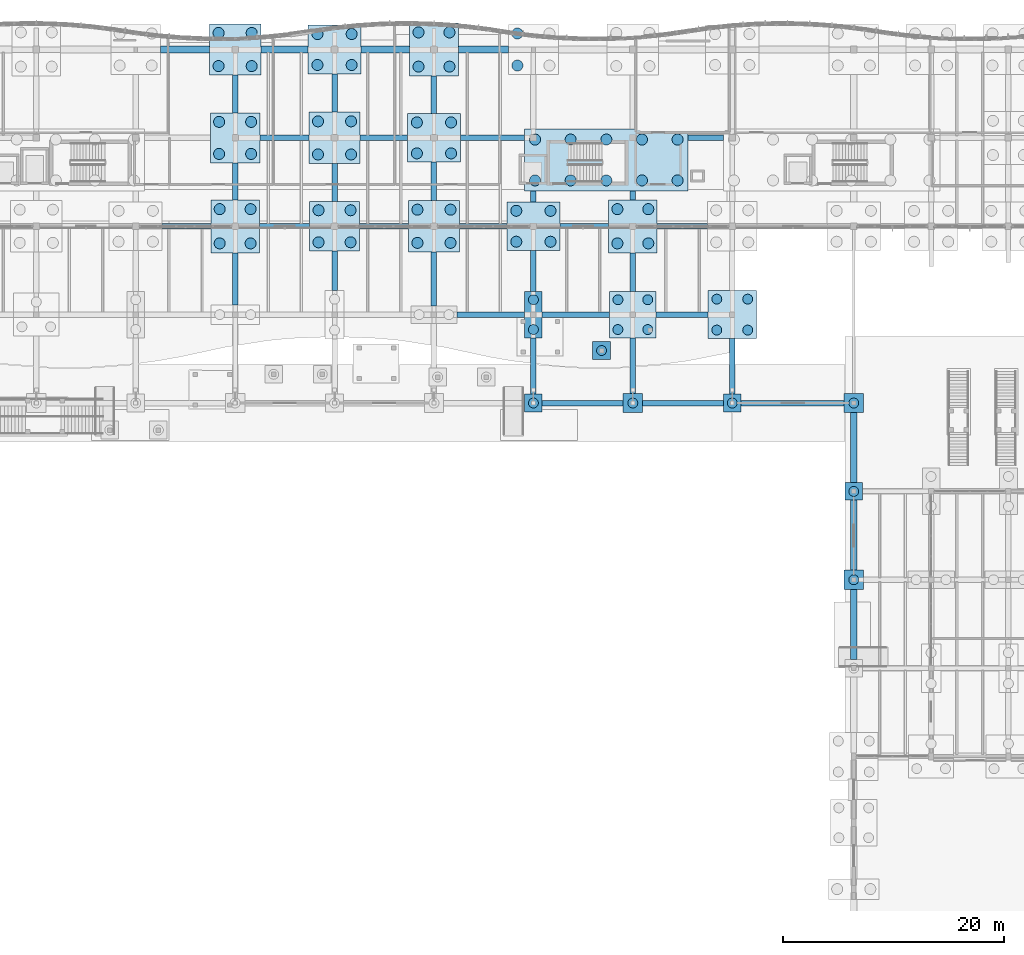
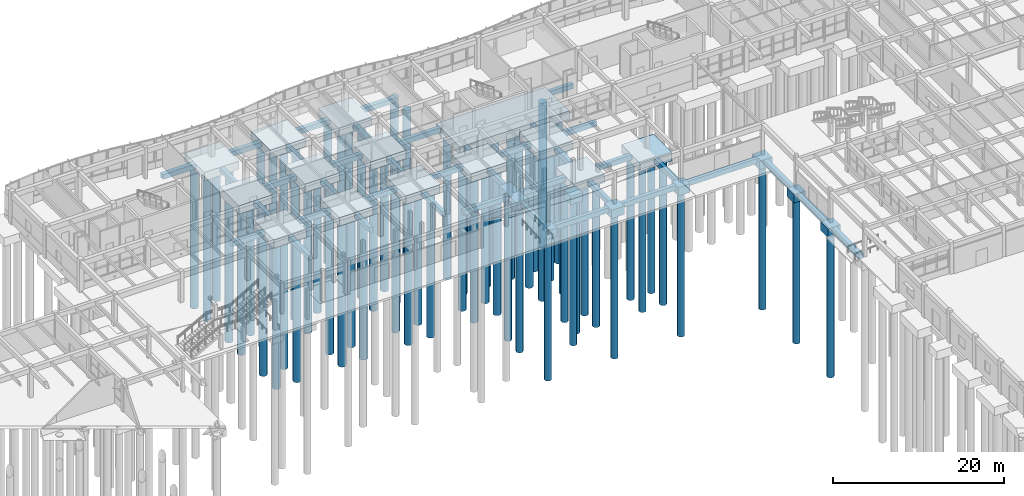
# One storey, part 5 of 99: 73 piles, 61 footings.
"""IFC4 building model written with IfcOpenShell, lengths in metres."""

from ifc_helpers import new_model, si_unit, direction, frame, origin, origin_2d, place, context, subcontext, project, spatial, rectangle, circle, extrude, material, material_profile, profile_set, type_object, element, save


model = new_model("IFC4")

# Units and contexts
model_context = context("Model", 3, precision=1e-05, world=origin(), true_north=direction((0.0, 1.0)))
body_context = subcontext(model_context, "Body", "Model", "MODEL_VIEW")
ifc_project = project(units=[si_unit("LENGTHUNIT", "METRE"), si_unit("AREAUNIT", "SQUARE_METRE"), si_unit("VOLUMEUNIT", "CUBIC_METRE"), si_unit("PLANEANGLEUNIT", "RADIAN"), si_unit("MASSUNIT", "GRAM", prefix="KILO")], contexts=[model_context])

# Site, building, storey
site_placement = place(None, origin())
site = spatial("IfcSite", under=ifc_project, at=site_placement, CompositionType="ELEMENT")
building_placement = place(site_placement, origin())
building = spatial("IfcBuilding", under=site, at=building_placement, Name="Tonlespit Floodbar School", CompositionType="ELEMENT")
storey_placement = place(building_placement, origin())
storey = spatial("IfcBuildingStorey", under=building, at=storey_placement, Name="L00", CompositionType="ELEMENT", Elevation=0.0)

# Footings
ifc_material_1 = material(Name="Concrete C40/50", Category="concrete")
footing_type_1 = type_object("IfcFootingType", Name="FootingBeam_RC_500x700", PredefinedType="FOOTING_BEAM", material=ifc_material_1)
for number, where, z_axis, x_axis, name in (
    (1, (102.46240234375, 88.0, -0.89990234375), (0.0, 0.0, 1.0), (1.0, 0.0, 0.0), "Ground tie beam FB-094"),
    (2, (111.53759765625, 88.0, -0.89990234375), (0.0, 0.0, 1.0), (1.0, 0.0, 0.0), "Ground tie beam FB-095"),
):
    element("IfcFooting", number, at=place(storey_placement, frame(where, z_axis=z_axis, x_axis=x_axis)), inside=storey, type_object=footing_type_1, Name=name, PredefinedType="FOOTING_BEAM", context=body_context, shape_type="SweptSolid", body=[
        extrude(rectangle(XDim=7.324951171875, YDim=0.5, at=origin_2d()), origin(), (0.0, 0.0, 1.0), 0.699951171875),
    ])
footing_1_placement = place(storey_placement, frame((121.46240234375, 88.0, -0.89990234375), z_axis=(0.0, 0.0, 1.0), x_axis=(1.0, 0.0, 0.0)))
element("IfcFooting", 3, at=footing_1_placement, inside=storey, type_object=footing_type_1, Name="Ground tie beam FB-096", PredefinedType="FOOTING_BEAM", context=body_context, shape_type="SweptSolid", body=[
    extrude(rectangle(XDim=9.324951171875, YDim=0.5, at=origin_2d()), origin(), (0.0, 0.0, 1.0), 0.699951171875),
])
for number, where, z_axis, x_axis, name in (
    (4, (94.14990234375, 96.0, -0.89990234375), (0.0, 0.0, 1.0), (1.0, 0.0, 0.0), "Ground tie beam FB-110"),
    (5, (101.85009765625, 96.0, -0.89990234375), (0.0, 0.0, 1.0), (1.0, 0.0, 0.0), "Ground tie beam FB-111"),
):
    element("IfcFooting", number, at=place(storey_placement, frame(where, z_axis=z_axis, x_axis=x_axis)), inside=storey, type_object=footing_type_1, Name=name, PredefinedType="FOOTING_BEAM", context=body_context, shape_type="SweptSolid", body=[
        extrude(rectangle(XDim=6.10009765625, YDim=0.5, at=origin_2d()), origin(), (0.0, 0.0, 1.0), 0.699951171875),
    ])
footing_2_placement = place(storey_placement, frame((111.46240234375, 96.0, -0.89990234375), z_axis=(0.0, 0.0, 1.0), x_axis=(1.0, 0.0, 0.0)))
element("IfcFooting", 6, at=footing_2_placement, inside=storey, type_object=footing_type_1, Name="Ground tie beam FB-112", PredefinedType="FOOTING_BEAM", context=body_context, shape_type="SweptSolid", body=[
    extrude(rectangle(XDim=4.72509765625, YDim=0.5, at=origin_2d()), origin(), (0.0, 0.0, 1.0), 0.699951171875),
])
footing_3_placement = place(storey_placement, frame((66.60009765625, 104.0, -0.89990234375), z_axis=(0.0, 0.0, 1.0), x_axis=(1.0, 0.0, 0.0)))
element("IfcFooting", 7, at=footing_3_placement, inside=storey, type_object=footing_type_1, Name="Ground tie beam FB-119", PredefinedType="FOOTING_BEAM", context=body_context, shape_type="SweptSolid", body=[
    extrude(rectangle(XDim=4.39990234375, YDim=0.5, at=origin_2d()), origin(), (0.0, 0.0, 1.0), 0.699951171875),
])
footing_4_placement = place(storey_placement, frame((75.47509765625, 104.0, -0.89990234375), z_axis=(0.0, 0.0, 1.0), x_axis=(1.0, 0.0, 0.0)))
element("IfcFooting", 8, at=footing_4_placement, inside=storey, type_object=footing_type_1, Name="Ground tie beam FB-120", PredefinedType="FOOTING_BEAM", context=body_context, shape_type="SweptSolid", body=[
    extrude(rectangle(XDim=4.550048828125, YDim=0.5, at=origin_2d()), origin(), (0.0, 0.0, 1.0), 0.699951171875),
])
footing_5_placement = place(storey_placement, frame((84.46240234375, 104.0, -0.89990234375), z_axis=(0.0, 0.0, 1.0), x_axis=(1.0, 0.0, 0.0)))
element("IfcFooting", 9, at=footing_5_placement, inside=storey, type_object=footing_type_1, Name="Ground tie beam FB-121", PredefinedType="FOOTING_BEAM", context=body_context, shape_type="SweptSolid", body=[
    extrude(rectangle(XDim=4.425048828125, YDim=0.5, at=origin_2d()), origin(), (0.0, 0.0, 1.0), 0.699951171875),
])
footing_6_placement = place(storey_placement, frame((93.46240234375, 104.0, -0.89990234375), z_axis=(0.0, 0.0, 1.0), x_axis=(1.0, 0.0, 0.0)))
element("IfcFooting", 10, at=footing_6_placement, inside=storey, type_object=footing_type_1, Name="Ground tie beam FB-122", PredefinedType="FOOTING_BEAM", context=body_context, shape_type="SweptSolid", body=[
    extrude(rectangle(XDim=4.27490234375, YDim=0.5, at=origin_2d()), origin(), (0.0, 0.0, 1.0), 0.699951171875),
])
footing_7_placement = place(storey_placement, frame((102.60009765625, 104.0, -0.89990234375), z_axis=(0.0, 0.0, 1.0), x_axis=(1.0, 0.0, 0.0)))
element("IfcFooting", 11, at=footing_7_placement, inside=storey, type_object=footing_type_1, Name="Ground tie beam FB-123", PredefinedType="FOOTING_BEAM", context=body_context, shape_type="SweptSolid", body=[
    extrude(rectangle(XDim=4.39990234375, YDim=0.5, at=origin_2d()), origin(), (0.0, 0.0, 1.0), 0.699951171875),
])
footing_8_placement = place(storey_placement, frame((111.47509765625, 104.0, -0.89990234375), z_axis=(0.0, 0.0, 1.0), x_axis=(1.0, 0.0, 0.0)))
element("IfcFooting", 12, at=footing_8_placement, inside=storey, type_object=footing_type_1, Name="Ground tie beam FB-124", PredefinedType="FOOTING_BEAM", context=body_context, shape_type="SweptSolid", body=[
    extrude(rectangle(XDim=4.550048828125, YDim=0.5, at=origin_2d()), origin(), (0.0, 0.0, 1.0), 0.699951171875),
])
footing_9_placement = place(storey_placement, frame((75.46240234375, 112.0, -0.89990234375), z_axis=(0.0, 0.0, 1.0), x_axis=(1.0, 0.0, 0.0)))
element("IfcFooting", 13, at=footing_9_placement, inside=storey, type_object=footing_type_1, Name="Ground tie beam FB-135", PredefinedType="FOOTING_BEAM", context=body_context, shape_type="SweptSolid", body=[
    extrude(rectangle(XDim=4.425048828125, YDim=0.5, at=origin_2d()), origin(), (0.0, 0.0, 1.0), 0.699951171875),
])
footing_10_placement = place(storey_placement, frame((84.46240234375, 112.0, -0.89990234375), z_axis=(0.0, 0.0, 1.0), x_axis=(1.0, 0.0, 0.0)))
element("IfcFooting", 14, at=footing_10_placement, inside=storey, type_object=footing_type_1, Name="Ground tie beam FB-136", PredefinedType="FOOTING_BEAM", context=body_context, shape_type="SweptSolid", body=[
    extrude(rectangle(XDim=4.27490234375, YDim=0.5, at=origin_2d()), origin(), (0.0, 0.0, 1.0), 0.699951171875),
])
footing_11_placement = place(storey_placement, frame((94.300048828125, 112.0, -0.89990234375), z_axis=(0.0, 0.0, 1.0), x_axis=(1.0, 0.0, 0.0)))
element("IfcFooting", 15, at=footing_11_placement, inside=storey, type_object=footing_type_1, Name="Ground tie beam FB-137", PredefinedType="FOOTING_BEAM", context=body_context, shape_type="SweptSolid", body=[
    extrude(rectangle(XDim=5.800048828125, YDim=0.5, at=origin_2d()), origin(), (0.0, 0.0, 1.0), 0.699951171875),
])
footing_12_placement = place(storey_placement, frame((113.60009765625, 112.0, -0.89990234375), z_axis=(0.0, 0.0, 1.0), x_axis=(1.0, 0.0, 0.0)))
element("IfcFooting", 16, at=footing_12_placement, inside=storey, type_object=footing_type_1, Name="Ground tie beam FB-138", PredefinedType="FOOTING_BEAM", context=body_context, shape_type="SweptSolid", body=[
    extrude(rectangle(XDim=3.199951171875, YDim=0.5, at=origin_2d()), origin(), (0.0, 0.0, 1.0), 0.699951171875),
])
footing_13_placement = place(storey_placement, frame((71.0, 99.237548828125, -0.89990234375), z_axis=(0.0, 0.0, 1.0), x_axis=(0.0, 1.0, 0.0)))
element("IfcFooting", 17, at=footing_13_placement, inside=storey, type_object=footing_type_1, Name="Ground tie beam FB-242", PredefinedType="FOOTING_BEAM", context=body_context, shape_type="SweptSolid", body=[
    extrude(rectangle(XDim=4.72509765625, YDim=0.5, at=origin_2d()), origin(), (0.0, 0.0, 1.0), 0.699951171875),
])
footing_14_placement = place(storey_placement, frame((71.0, 108.074951171875, -0.89990234375), z_axis=(0.0, 0.0, 1.0), x_axis=(0.0, 1.0, 0.0)))
element("IfcFooting", 18, at=footing_14_placement, inside=storey, type_object=footing_type_1, Name="Ground tie beam FB-243", PredefinedType="FOOTING_BEAM", context=body_context, shape_type="SweptSolid", body=[
    extrude(rectangle(XDim=3.35009765625, YDim=0.5, at=origin_2d()), origin(), (0.0, 0.0, 1.0), 0.699951171875),
])
footing_15_placement = place(storey_placement, frame((71.0, 115.96240234375, -0.89990234375), z_axis=(0.0, 0.0, 1.0), x_axis=(0.0, 1.0, 0.0)))
element("IfcFooting", 19, at=footing_15_placement, inside=storey, type_object=footing_type_1, Name="Ground tie beam FB-244", PredefinedType="FOOTING_BEAM", context=body_context, shape_type="SweptSolid", body=[
    extrude(rectangle(XDim=3.425048828125, YDim=0.5, at=origin_2d()), origin(), (0.0, 0.0, 1.0), 0.699951171875),
])
footing_16_placement = place(storey_placement, frame((80.0, 99.97509765625, -0.89990234375), z_axis=(0.0, 0.0, 1.0), x_axis=(0.0, 1.0, 0.0)))
element("IfcFooting", 20, at=footing_16_placement, inside=storey, type_object=footing_type_1, Name="Ground tie beam FB-246", PredefinedType="FOOTING_BEAM", context=body_context, shape_type="SweptSolid", body=[
    extrude(rectangle(XDim=3.550048828125, YDim=0.5, at=origin_2d()), origin(), (0.0, 0.0, 1.0), 0.699951171875),
])
footing_17_placement = place(storey_placement, frame((80.0, 107.96240234375, -0.89990234375), z_axis=(0.0, 0.0, 1.0), x_axis=(0.0, 1.0, 0.0)))
element("IfcFooting", 21, at=footing_17_placement, inside=storey, type_object=footing_type_1, Name="Ground tie beam FB-247", PredefinedType="FOOTING_BEAM", context=body_context, shape_type="SweptSolid", body=[
    extrude(rectangle(XDim=3.425048828125, YDim=0.5, at=origin_2d()), origin(), (0.0, 0.0, 1.0), 0.699951171875),
])
footing_18_placement = place(storey_placement, frame((80.0, 116.0625, -0.89990234375), z_axis=(0.0, 0.0, 1.0), x_axis=(0.0, 1.0, 0.0)))
element("IfcFooting", 22, at=footing_18_placement, inside=storey, type_object=footing_type_1, Name="Ground tie beam FB-248", PredefinedType="FOOTING_BEAM", context=body_context, shape_type="SweptSolid", body=[
    extrude(rectangle(XDim=3.47509765625, YDim=0.5, at=origin_2d()), origin(), (0.0, 0.0, 1.0), 0.699951171875),
])
footing_19_placement = place(storey_placement, frame((89.0, 99.237548828125, -0.89990234375), z_axis=(0.0, 0.0, 1.0), x_axis=(0.0, 1.0, 0.0)))
element("IfcFooting", 23, at=footing_19_placement, inside=storey, type_object=footing_type_1, Name="Ground tie beam FB-251", PredefinedType="FOOTING_BEAM", context=body_context, shape_type="SweptSolid", body=[
    extrude(rectangle(XDim=4.875, YDim=0.5, at=origin_2d()), origin(), (0.0, 0.0, 1.0), 0.699951171875),
])
footing_20_placement = place(storey_placement, frame((89.0, 108.0625, -0.89990234375), z_axis=(0.0, 0.0, 1.0), x_axis=(0.0, 1.0, 0.0)))
element("IfcFooting", 24, at=footing_20_placement, inside=storey, type_object=footing_type_1, Name="Ground tie beam FB-252", PredefinedType="FOOTING_BEAM", context=body_context, shape_type="SweptSolid", body=[
    extrude(rectangle(XDim=3.47509765625, YDim=0.5, at=origin_2d()), origin(), (0.0, 0.0, 1.0), 0.699951171875),
])
footing_21_placement = place(storey_placement, frame((89.0, 115.89990234375, -0.89990234375), z_axis=(0.0, 0.0, 1.0), x_axis=(0.0, 1.0, 0.0)))
element("IfcFooting", 25, at=footing_21_placement, inside=storey, type_object=footing_type_1, Name="Ground tie beam FB-253", PredefinedType="FOOTING_BEAM", context=body_context, shape_type="SweptSolid", body=[
    extrude(rectangle(XDim=3.39990234375, YDim=0.5, at=origin_2d()), origin(), (0.0, 0.0, 1.0), 0.699951171875),
])
footing_22_placement = place(storey_placement, frame((98.0, 91.35009765625, -0.89990234375), z_axis=(0.0, 0.0, 1.0), x_axis=(0.0, 1.0, 0.0)))
element("IfcFooting", 26, at=footing_22_placement, inside=storey, type_object=footing_type_1, Name="Ground tie beam FB-254", PredefinedType="FOOTING_BEAM", context=body_context, shape_type="SweptSolid", body=[
    extrude(rectangle(XDim=5.10009765625, YDim=0.5, at=origin_2d()), origin(), (0.0, 0.0, 1.0), 0.699951171875),
])
footing_23_placement = place(storey_placement, frame((98.0, 99.949951171875, -0.89990234375), z_axis=(0.0, 0.0, 1.0), x_axis=(0.0, 1.0, 0.0)))
element("IfcFooting", 27, at=footing_23_placement, inside=storey, type_object=footing_type_1, Name="Ground tie beam FB-255", PredefinedType="FOOTING_BEAM", context=body_context, shape_type="SweptSolid", body=[
    extrude(rectangle(XDim=3.699951171875, YDim=0.5, at=origin_2d()), origin(), (0.0, 0.0, 1.0), 0.699951171875),
])
footing_24_placement = place(storey_placement, frame((98.0, 106.699951171875, -0.89990234375), z_axis=(0.0, 0.0, 1.0), x_axis=(0.0, 1.0, 0.0)))
element("IfcFooting", 28, at=footing_24_placement, inside=storey, type_object=footing_type_1, Name="Ground tie beam FB-256", PredefinedType="FOOTING_BEAM", context=body_context, shape_type="SweptSolid", body=[
    extrude(rectangle(XDim=1.0, YDim=0.5, at=origin_2d()), origin(), (0.0, 0.0, 1.0), 0.699951171875),
])
footing_25_placement = place(storey_placement, frame((107.0, 91.387451171875, -0.89990234375), z_axis=(0.0, 0.0, 1.0), x_axis=(0.0, 1.0, 0.0)))
element("IfcFooting", 29, at=footing_25_placement, inside=storey, type_object=footing_type_1, Name="Ground tie beam FB-258", PredefinedType="FOOTING_BEAM", context=body_context, shape_type="SweptSolid", body=[
    extrude(rectangle(XDim=5.02490234375, YDim=0.5, at=origin_2d()), origin(), (0.0, 0.0, 1.0), 0.699951171875),
])
footing_26_placement = place(storey_placement, frame((107.0, 99.85009765625, -0.89990234375), z_axis=(0.0, 0.0, 1.0), x_axis=(0.0, 1.0, 0.0)))
element("IfcFooting", 30, at=footing_26_placement, inside=storey, type_object=footing_type_1, Name="Ground tie beam FB-259", PredefinedType="FOOTING_BEAM", context=body_context, shape_type="SweptSolid", body=[
    extrude(rectangle(XDim=3.5, YDim=0.5, at=origin_2d()), origin(), (0.0, 0.0, 1.0), 0.699951171875),
])
footing_27_placement = place(storey_placement, frame((107.0, 106.800048828125, -0.89990234375), z_axis=(0.0, 0.0, 1.0), x_axis=(0.0, 1.0, 0.0)))
element("IfcFooting", 31, at=footing_27_placement, inside=storey, type_object=footing_type_1, Name="Ground tie beam FB-260", PredefinedType="FOOTING_BEAM", context=body_context, shape_type="SweptSolid", body=[
    extrude(rectangle(XDim=0.800048828125, YDim=0.5, at=origin_2d()), origin(), (0.0, 0.0, 1.0), 0.699951171875),
])
footing_28_placement = place(storey_placement, frame((116.0, 91.3125, -0.89990234375), z_axis=(0.0, 0.0, 1.0), x_axis=(0.0, 1.0, 0.0)))
element("IfcFooting", 32, at=footing_28_placement, inside=storey, type_object=footing_type_1, Name="Ground tie beam FB-262", PredefinedType="FOOTING_BEAM", context=body_context, shape_type="SweptSolid", body=[
    extrude(rectangle(XDim=5.02490234375, YDim=0.5, at=origin_2d()), origin(), (0.0, 0.0, 1.0), 0.699951171875),
])
footing_type_2 = type_object("IfcFootingType", Name="PileCap_1P_1600", PredefinedType="PILE_CAP", material=ifc_material_1)
for number, where, z_axis, x_axis, name in (
    (33, (98.0, 88.0, -1.39990234375), (0.0, 0.0, 1.0), (1.0, 0.0, 0.0), "Pile cap FC-109 at U12/V13"),
    (34, (116.0, 88.0, -1.39990234375), (0.0, 0.0, 1.0), (1.0, 0.0, 0.0), "Pile cap FC-119 at U14/V13"),
    (35, (127.0, 80.0, -1.39990234375), (0.0, 0.0, 1.0), (1.0, 0.0, 0.0), "Pile cap FC-133 at U15/V12"),
    (36, (104.169921875, 92.75, -1.39990234375), (0.0, 0.0, 1.0), (1.0, 0.0, 0.0), "Courtyard amphitheatre cap FC-AMP-4-1"),
):
    element("IfcFooting", number, at=place(storey_placement, frame(where, z_axis=z_axis, x_axis=x_axis)), inside=storey, type_object=footing_type_2, Name=name, PredefinedType="PILE_CAP", context=body_context, shape_type="SweptSolid", body=[
        extrude(rectangle(XDim=1.60009765625, YDim=1.60009765625, at=origin_2d()), origin(), (0.0, 0.0, 1.0), 1.199951171875),
    ])
footing_type_3 = type_object("IfcFootingType", Name="PileCap_1P_1750", PredefinedType="PILE_CAP", material=ifc_material_1)
for number, where, z_axis, x_axis, name in (
    (37, (107.0, 88.0, -1.39990234375), (0.0, 0.0, 1.0), (1.0, 0.0, 0.0), "Pile cap FC-114 at U13/V13"),
    (38, (127.0, 72.0, -1.39990234375), (0.0, 0.0, 1.0), (1.0, 0.0, 0.0), "Pile cap FC-132 at U15/V11"),
    (39, (127.0, 88.0, -1.39990234375), (0.0, 0.0, 1.0), (1.0, 0.0, 0.0), "Pile cap FC-134 at U15/V13"),
):
    element("IfcFooting", number, at=place(storey_placement, frame(where, z_axis=z_axis, x_axis=x_axis)), inside=storey, type_object=footing_type_3, Name=name, PredefinedType="PILE_CAP", context=body_context, shape_type="SweptSolid", body=[
        extrude(rectangle(XDim=1.75, YDim=1.75, at=origin_2d()), origin(), (0.0, 0.0, 1.0), 1.199951171875),
    ])
footing_type_4 = type_object("IfcFootingType", Name="PileCap_2PY_1600x4200", PredefinedType="PILE_CAP", material=ifc_material_1)
footing_29_placement = place(storey_placement, frame((98.0, 96.0, -1.39990234375), z_axis=(0.0, 0.0, 1.0), x_axis=(1.0, 0.0, 0.0)))
element("IfcFooting", 40, at=footing_29_placement, inside=storey, type_object=footing_type_4, Name="Pile cap FC-110 at U12/V14", PredefinedType="PILE_CAP", context=body_context, shape_type="SweptSolid", body=[
    extrude(rectangle(XDim=1.60009765625, YDim=4.199951171875, at=origin_2d()), origin(), (0.0, 0.0, 1.0), 1.199951171875),
])
footing_type_5 = type_object("IfcFootingType", Name="PileCap_4P_4200x4200", PredefinedType="PILE_CAP", material=ifc_material_1)
footing_30_placement = place(storey_placement, frame((107.0, 96.0, -1.39990234375), z_axis=(0.0, 0.0, 1.0), x_axis=(1.0, 0.0, 0.0)))
element("IfcFooting", 41, at=footing_30_placement, inside=storey, type_object=footing_type_5, Name="Pile cap FC-115 at U13/V14", PredefinedType="PILE_CAP", context=body_context, shape_type="SweptSolid", body=[
    extrude(rectangle(XDim=4.199951171875, YDim=4.199951171875, at=origin_2d()), origin(), (0.0, 0.0, 1.0), 1.199951171875),
])
footing_type_6 = type_object("IfcFootingType", Name="PileCap_4P_4350x4350", PredefinedType="PILE_CAP", material=ifc_material_1)
footing_31_placement = place(storey_placement, frame((116.0, 96.0, -1.39990234375), z_axis=(0.0, 0.0, 1.0), x_axis=(1.0, 0.0, 0.0)))
element("IfcFooting", 42, at=footing_31_placement, inside=storey, type_object=footing_type_6, Name="Pile cap FC-120 at U14/V14", PredefinedType="PILE_CAP", context=body_context, shape_type="SweptSolid", body=[
    extrude(rectangle(XDim=4.35009765625, YDim=4.35009765625, at=origin_2d()), origin(), (0.0, 0.0, 1.0), 1.199951171875),
])
footing_type_7 = type_object("IfcFootingType", Name="PileCap_4P_4400x4800", PredefinedType="PILE_CAP", material=ifc_material_1)
for number, where, z_axis, x_axis, name in (
    (43, (71.0, 104.0, -1.39990234375), (0.0, 0.0, 1.0), (1.0, 0.0, 0.0), "Pile cap FC-096 at U09/V15"),
    (44, (89.0, 120.0, -1.39990234375), (0.0, 0.0, 1.0), (1.0, 0.0, 0.0), "Pile cap FC-108 at U11/V17"),
    (45, (107.0, 104.0, -1.39990234375), (0.0, 0.0, 1.0), (1.0, 0.0, 0.0), "Pile cap FC-116 at U13/V15"),
):
    element("IfcFooting", number, at=place(storey_placement, frame(where, z_axis=z_axis, x_axis=x_axis)), inside=storey, type_object=footing_type_7, Name=name, PredefinedType="PILE_CAP", context=body_context, shape_type="SweptSolid", body=[
        extrude(rectangle(XDim=4.39990234375, YDim=4.800048828125, at=origin_2d()), origin(), (0.0, 0.0, 1.0), 1.199951171875),
    ])
footing_type_8 = type_object("IfcFootingType", Name="PileCap_4P_4500x4500", PredefinedType="PILE_CAP", material=ifc_material_1)
for number, where, z_axis, x_axis, name in (
    (46, (71.0, 112.0, -1.39990234375), (0.0, 0.0, 1.0), (1.0, 0.0, 0.0), "Pile cap FC-097 at U09/V16"),
    (47, (80.0, 104.0, -1.39990234375), (0.0, 0.0, 1.0), (1.0, 0.0, 0.0), "Pile cap FC-101 at U10/V15"),
):
    element("IfcFooting", number, at=place(storey_placement, frame(where, z_axis=z_axis, x_axis=x_axis)), inside=storey, type_object=footing_type_8, Name=name, PredefinedType="PILE_CAP", context=body_context, shape_type="SweptSolid", body=[
        extrude(rectangle(XDim=4.5, YDim=4.5, at=origin_2d()), origin(), (0.0, 0.0, 1.0), 1.199951171875),
    ])
footing_type_9 = type_object("IfcFootingType", Name="PileCap_4P_4650x4650", PredefinedType="PILE_CAP", material=ifc_material_1)
for number, where, z_axis, x_axis, name in (
    (48, (71.0, 120.0, -1.39990234375), (0.0, 0.0, 1.0), (1.0, 0.0, 0.0), "Pile cap FC-098 at U09/V17"),
    (49, (80.0, 112.0, -1.39990234375), (0.0, 0.0, 1.0), (1.0, 0.0, 0.0), "Pile cap FC-102 at U10/V16"),
    (50, (89.0, 104.0, -1.39990234375), (0.0, 0.0, 1.0), (1.0, 0.0, 0.0), "Pile cap FC-106 at U11/V15"),
):
    element("IfcFooting", number, at=place(storey_placement, frame(where, z_axis=z_axis, x_axis=x_axis)), inside=storey, type_object=footing_type_9, Name=name, PredefinedType="PILE_CAP", context=body_context, shape_type="SweptSolid", body=[
        extrude(rectangle(XDim=4.64990234375, YDim=4.64990234375, at=origin_2d()), origin(), (0.0, 0.0, 1.0), 1.199951171875),
    ])
footing_type_10 = type_object("IfcFootingType", Name="PileCap_4P_4800x4400", PredefinedType="PILE_CAP", material=ifc_material_1)
for number, where, z_axis, x_axis, name in (
    (51, (80.0, 120.0, -1.39990234375), (0.0, 0.0, 1.0), (1.0, 0.0, 0.0), "Pile cap FC-103 at U10/V17"),
    (52, (89.0, 112.0, -1.39990234375), (0.0, 0.0, 1.0), (1.0, 0.0, 0.0), "Pile cap FC-107 at U11/V16"),
    (53, (98.0, 104.0, -1.39990234375), (0.0, 0.0, 1.0), (1.0, 0.0, 0.0), "Pile cap FC-111 at U12/V15"),
):
    element("IfcFooting", number, at=place(storey_placement, frame(where, z_axis=z_axis, x_axis=x_axis)), inside=storey, type_object=footing_type_10, Name=name, PredefinedType="PILE_CAP", context=body_context, shape_type="SweptSolid", body=[
        extrude(rectangle(XDim=4.800048828125, YDim=4.39990234375, at=origin_2d()), origin(), (0.0, 0.0, 1.0), 1.199951171875),
    ])
footing_type_11 = type_object("IfcFootingType", Name="PileCap_Core_C2", PredefinedType="PILE_CAP", material=ifc_material_1)
footing_32_placement = place(storey_placement, frame((104.60009765625, 110.0, -1.39990234375), z_axis=(0.0, 0.0, 1.0), x_axis=(1.0, 0.0, 0.0)))
element("IfcFooting", 54, at=footing_32_placement, inside=storey, type_object=footing_type_11, Name="Core C2 pile cap", PredefinedType="PILE_CAP", context=body_context, shape_type="SweptSolid", body=[
    extrude(rectangle(XDim=14.800048828125, YDim=5.60009765625, at=origin_2d()), origin(), (0.0, 0.0, 1.0), 1.199951171875),
])

# Piles
ifc_material_2 = material(Name="Concrete C35/45", Category="concrete")
ifc_material_profile_1 = material_profile(ifc_material_2, circle(Radius=0.5, at=origin_2d()), Name="BP D1000")
ifc_profile_set_1 = profile_set([ifc_material_profile_1], Name="Concrete C35/45")
pile_type_1 = type_object("IfcPileType", Name="Pile_RC_D1000", PredefinedType="BORED", material=ifc_profile_set_1)
for number, where, z_axis, x_axis, name in (
    (55, (98.14990234375, 108.14990234375, -1.300048828125), (0.0, 0.0, -1.0), (1.0, 0.0, 0.0), "Bored pile PL-0013"),
    (56, (98.14990234375, 111.85009765625, -1.300048828125), (0.0, 0.0, -1.0), (1.0, 0.0, 0.0), "Bored pile PL-0014"),
    (57, (101.375, 108.14990234375, -1.300048828125), (0.0, 0.0, -1.0), (1.0, 0.0, 0.0), "Bored pile PL-0015"),
    (58, (101.375, 111.85009765625, -1.300048828125), (0.0, 0.0, -1.0), (1.0, 0.0, 0.0), "Bored pile PL-0016"),
    (59, (104.60009765625, 108.14990234375, -1.300048828125), (0.0, 0.0, -1.0), (1.0, 0.0, 0.0), "Bored pile PL-0017"),
    (60, (104.60009765625, 111.85009765625, -1.300048828125), (0.0, 0.0, -1.0), (1.0, 0.0, 0.0), "Bored pile PL-0018"),
    (61, (107.824951171875, 108.14990234375, -1.300048828125), (0.0, 0.0, -1.0), (1.0, 0.0, 0.0), "Bored pile PL-0019"),
    (62, (107.824951171875, 111.85009765625, -1.300048828125), (0.0, 0.0, -1.0), (1.0, 0.0, 0.0), "Bored pile PL-0020"),
    (63, (111.050048828125, 108.14990234375, -1.300048828125), (0.0, 0.0, -1.0), (1.0, 0.0, 0.0), "Bored pile PL-0021"),
    (64, (111.050048828125, 111.85009765625, -1.300048828125), (0.0, 0.0, -1.0), (1.0, 0.0, 0.0), "Bored pile PL-0022"),
    (65, (69.60009765625, 102.449951171875, -1.300048828125), (0.0, 0.0, -1.0), (1.0, 0.0, 0.0), "Bored pile PL-0297"),
    (66, (72.39990234375, 102.449951171875, -1.300048828125), (0.0, 0.0, -1.0), (1.0, 0.0, 0.0), "Bored pile PL-0298"),
    (67, (69.60009765625, 105.550048828125, -1.300048828125), (0.0, 0.0, -1.0), (1.0, 0.0, 0.0), "Bored pile PL-0299"),
    (68, (72.39990234375, 105.550048828125, -1.300048828125), (0.0, 0.0, -1.0), (1.0, 0.0, 0.0), "Bored pile PL-0300"),
    (69, (69.550048828125, 110.550048828125, -1.300048828125), (0.0, 0.0, -1.0), (1.0, 0.0, 0.0), "Bored pile PL-0301"),
    (70, (72.449951171875, 110.550048828125, -1.300048828125), (0.0, 0.0, -1.0), (1.0, 0.0, 0.0), "Bored pile PL-0302"),
    (71, (69.550048828125, 113.449951171875, -1.300048828125), (0.0, 0.0, -1.0), (1.0, 0.0, 0.0), "Bored pile PL-0303"),
    (72, (72.449951171875, 113.449951171875, -1.300048828125), (0.0, 0.0, -1.0), (1.0, 0.0, 0.0), "Bored pile PL-0304"),
    (73, (69.5, 118.5, -1.300048828125), (0.0, 0.0, -1.0), (1.0, 0.0, 0.0), "Bored pile PL-0305"),
    (74, (72.5, 118.5, -1.300048828125), (0.0, 0.0, -1.0), (1.0, 0.0, 0.0), "Bored pile PL-0306"),
    (75, (69.5, 121.5, -1.300048828125), (0.0, 0.0, -1.0), (1.0, 0.0, 0.0), "Bored pile PL-0307"),
    (76, (72.5, 121.5, -1.300048828125), (0.0, 0.0, -1.0), (1.0, 0.0, 0.0), "Bored pile PL-0308"),
    (77, (78.550048828125, 102.550048828125, -1.300048828125), (0.0, 0.0, -1.0), (1.0, 0.0, 0.0), "Bored pile PL-0312"),
    (78, (81.449951171875, 102.550048828125, -1.300048828125), (0.0, 0.0, -1.0), (1.0, 0.0, 0.0), "Bored pile PL-0313"),
    (79, (78.550048828125, 105.449951171875, -1.300048828125), (0.0, 0.0, -1.0), (1.0, 0.0, 0.0), "Bored pile PL-0314"),
    (80, (81.449951171875, 105.449951171875, -1.300048828125), (0.0, 0.0, -1.0), (1.0, 0.0, 0.0), "Bored pile PL-0315"),
    (81, (78.5, 110.5, -1.300048828125), (0.0, 0.0, -1.0), (1.0, 0.0, 0.0), "Bored pile PL-0316"),
    (82, (81.5, 110.5, -1.300048828125), (0.0, 0.0, -1.0), (1.0, 0.0, 0.0), "Bored pile PL-0317"),
    (83, (78.5, 113.5, -1.300048828125), (0.0, 0.0, -1.0), (1.0, 0.0, 0.0), "Bored pile PL-0318"),
    (84, (81.5, 113.5, -1.300048828125), (0.0, 0.0, -1.0), (1.0, 0.0, 0.0), "Bored pile PL-0319"),
    (85, (78.449951171875, 118.60009765625, -1.300048828125), (0.0, 0.0, -1.0), (1.0, 0.0, 0.0), "Bored pile PL-0320"),
    (86, (81.550048828125, 118.60009765625, -1.300048828125), (0.0, 0.0, -1.0), (1.0, 0.0, 0.0), "Bored pile PL-0321"),
    (87, (78.449951171875, 121.39990234375, -1.300048828125), (0.0, 0.0, -1.0), (1.0, 0.0, 0.0), "Bored pile PL-0322"),
    (88, (81.550048828125, 121.39990234375, -1.300048828125), (0.0, 0.0, -1.0), (1.0, 0.0, 0.0), "Bored pile PL-0323"),
    (89, (87.5, 102.5, -1.300048828125), (0.0, 0.0, -1.0), (1.0, 0.0, 0.0), "Bored pile PL-0327"),
    (90, (90.5, 102.5, -1.300048828125), (0.0, 0.0, -1.0), (1.0, 0.0, 0.0), "Bored pile PL-0328"),
    (91, (87.5, 105.5, -1.300048828125), (0.0, 0.0, -1.0), (1.0, 0.0, 0.0), "Bored pile PL-0329"),
    (92, (90.5, 105.5, -1.300048828125), (0.0, 0.0, -1.0), (1.0, 0.0, 0.0), "Bored pile PL-0330"),
    (93, (87.449951171875, 110.60009765625, -1.300048828125), (0.0, 0.0, -1.0), (1.0, 0.0, 0.0), "Bored pile PL-0331"),
    (94, (90.550048828125, 110.60009765625, -1.300048828125), (0.0, 0.0, -1.0), (1.0, 0.0, 0.0), "Bored pile PL-0332"),
    (95, (87.449951171875, 113.39990234375, -1.300048828125), (0.0, 0.0, -1.0), (1.0, 0.0, 0.0), "Bored pile PL-0333"),
    (96, (90.550048828125, 113.39990234375, -1.300048828125), (0.0, 0.0, -1.0), (1.0, 0.0, 0.0), "Bored pile PL-0334"),
    (97, (87.60009765625, 118.449951171875, -1.300048828125), (0.0, 0.0, -1.0), (1.0, 0.0, 0.0), "Bored pile PL-0335"),
    (98, (90.39990234375, 118.449951171875, -1.300048828125), (0.0, 0.0, -1.0), (1.0, 0.0, 0.0), "Bored pile PL-0336"),
    (99, (87.60009765625, 121.550048828125, -1.300048828125), (0.0, 0.0, -1.0), (1.0, 0.0, 0.0), "Bored pile PL-0337"),
    (100, (90.39990234375, 121.550048828125, -1.300048828125), (0.0, 0.0, -1.0), (1.0, 0.0, 0.0), "Bored pile PL-0338"),
    (101, (96.449951171875, 102.60009765625, -1.300048828125), (0.0, 0.0, -1.0), (1.0, 0.0, 0.0), "Bored pile PL-0342"),
    (102, (99.550048828125, 102.60009765625, -1.300048828125), (0.0, 0.0, -1.0), (1.0, 0.0, 0.0), "Bored pile PL-0343"),
    (103, (96.449951171875, 105.39990234375, -1.300048828125), (0.0, 0.0, -1.0), (1.0, 0.0, 0.0), "Bored pile PL-0344"),
    (104, (99.550048828125, 105.39990234375, -1.300048828125), (0.0, 0.0, -1.0), (1.0, 0.0, 0.0), "Bored pile PL-0345"),
    (105, (96.550048828125, 118.550048828125, -1.300048828125), (0.0, 0.0, -1.0), (1.0, 0.0, 0.0), "Bored pile PL-0346"),
    (106, (96.550048828125, 121.449951171875, -1.300048828125), (0.0, 0.0, -1.0), (1.0, 0.0, 0.0), "Bored pile PL-0348"),
    (107, (105.60009765625, 102.449951171875, -1.300048828125), (0.0, 0.0, -1.0), (1.0, 0.0, 0.0), "Bored pile PL-0355"),
    (108, (108.39990234375, 102.449951171875, -1.300048828125), (0.0, 0.0, -1.0), (1.0, 0.0, 0.0), "Bored pile PL-0356"),
    (109, (105.60009765625, 105.550048828125, -1.300048828125), (0.0, 0.0, -1.0), (1.0, 0.0, 0.0), "Bored pile PL-0357"),
    (110, (108.39990234375, 105.550048828125, -1.300048828125), (0.0, 0.0, -1.0), (1.0, 0.0, 0.0), "Bored pile PL-0358"),
):
    element("IfcPile", number, at=place(storey_placement, frame(where, z_axis=z_axis, x_axis=x_axis)), inside=storey, type_object=pile_type_1, Name=name, PredefinedType="BORED", context=body_context, shape_type="SweptSolid", body=[
        extrude(circle(Radius=0.5, at=origin_2d()), origin(), (0.0, 0.0, 1.0), 20.699951171875),
    ])
ifc_material_profile_2 = material_profile(ifc_material_2, circle(Radius=0.449951171875, at=origin_2d()), Name="BP D900")
ifc_profile_set_2 = profile_set([ifc_material_profile_2], Name="Concrete C35/45")
pile_type_2 = type_object("IfcPileType", Name="Pile_RC_D900", PredefinedType="BORED", material=ifc_profile_set_2)
for number, where, z_axis, x_axis, name in (
    (111, (98.0, 88.0, -1.300048828125), (0.0, 0.0, -1.0), (1.0, 0.0, 0.0), "Bored pile PL-0339"),
    (112, (98.0, 94.64990234375, -1.300048828125), (0.0, 0.0, -1.0), (1.0, 0.0, 0.0), "Bored pile PL-0340"),
    (113, (98.0, 97.35009765625, -1.300048828125), (0.0, 0.0, -1.0), (1.0, 0.0, 0.0), "Bored pile PL-0341"),
    (114, (107.0, 88.0, -1.300048828125), (0.0, 0.0, -1.0), (1.0, 0.0, 0.0), "Bored pile PL-0350"),
    (115, (105.64990234375, 94.64990234375, -1.300048828125), (0.0, 0.0, -1.0), (1.0, 0.0, 0.0), "Bored pile PL-0351"),
    (116, (108.35009765625, 94.64990234375, -1.300048828125), (0.0, 0.0, -1.0), (1.0, 0.0, 0.0), "Bored pile PL-0352"),
    (117, (105.64990234375, 97.35009765625, -1.300048828125), (0.0, 0.0, -1.0), (1.0, 0.0, 0.0), "Bored pile PL-0353"),
    (118, (108.35009765625, 97.35009765625, -1.300048828125), (0.0, 0.0, -1.0), (1.0, 0.0, 0.0), "Bored pile PL-0354"),
    (119, (116.0, 88.0, -1.300048828125), (0.0, 0.0, -1.0), (1.0, 0.0, 0.0), "Bored pile PL-0363"),
    (120, (114.60009765625, 94.60009765625, -1.300048828125), (0.0, 0.0, -1.0), (1.0, 0.0, 0.0), "Bored pile PL-0364"),
    (121, (117.39990234375, 94.60009765625, -1.300048828125), (0.0, 0.0, -1.0), (1.0, 0.0, 0.0), "Bored pile PL-0365"),
    (122, (114.60009765625, 97.39990234375, -1.300048828125), (0.0, 0.0, -1.0), (1.0, 0.0, 0.0), "Bored pile PL-0366"),
    (123, (117.39990234375, 97.39990234375, -1.300048828125), (0.0, 0.0, -1.0), (1.0, 0.0, 0.0), "Bored pile PL-0367"),
    (124, (127.0, 72.0, -1.300048828125), (0.0, 0.0, -1.0), (1.0, 0.0, 0.0), "Bored pile PL-0400"),
    (125, (127.0, 80.0, -1.300048828125), (0.0, 0.0, -1.0), (1.0, 0.0, 0.0), "Bored pile PL-0401"),
    (126, (127.0, 88.0, -1.300048828125), (0.0, 0.0, -1.0), (1.0, 0.0, 0.0), "Bored pile PL-0402"),
    (127, (104.169921875, 92.75, -1.300048828125), (0.0, 0.0, -1.0), (1.0, 0.0, 0.0), "Bored pile PL-AMP-4-1"),
):
    element("IfcPile", number, at=place(storey_placement, frame(where, z_axis=z_axis, x_axis=x_axis)), inside=storey, type_object=pile_type_2, Name=name, PredefinedType="BORED", context=body_context, shape_type="SweptSolid", body=[
        extrude(circle(Radius=0.449951171875, at=origin_2d()), origin(), (0.0, 0.0, 1.0), 20.699951171875),
    ])

# Footings
footing_type_12 = type_object("IfcFootingType", Name="StripFooting_RC_600x700", PredefinedType="STRIP_FOOTING", material=ifc_material_1)
footing_33_placement = place(storey_placement, frame((66.46240234375, 120.0, -0.89990234375), z_axis=(0.0, 0.0, 1.0), x_axis=(1.0, 0.0, 0.0)))
element("IfcFooting", 128, at=footing_33_placement, inside=storey, type_object=footing_type_12, Name="Ground tie beam FB-148", PredefinedType="STRIP_FOOTING", context=body_context, shape_type="SweptSolid", body=[
    extrude(rectangle(XDim=4.425048828125, YDim=0.60009765625, at=origin_2d()), origin(), (0.0, 0.0, 1.0), 0.699951171875),
])
footing_34_placement = place(storey_placement, frame((75.46240234375, 120.0, -0.89990234375), z_axis=(0.0, 0.0, 1.0), x_axis=(1.0, 0.0, 0.0)))
element("IfcFooting", 129, at=footing_34_placement, inside=storey, type_object=footing_type_12, Name="Ground tie beam FB-149", PredefinedType="STRIP_FOOTING", context=body_context, shape_type="SweptSolid", body=[
    extrude(rectangle(XDim=4.27490234375, YDim=0.60009765625, at=origin_2d()), origin(), (0.0, 0.0, 1.0), 0.699951171875),
])
footing_35_placement = place(storey_placement, frame((84.60009765625, 120.0, -0.89990234375), z_axis=(0.0, 0.0, 1.0), x_axis=(1.0, 0.0, 0.0)))
element("IfcFooting", 130, at=footing_35_placement, inside=storey, type_object=footing_type_12, Name="Ground tie beam FB-150", PredefinedType="STRIP_FOOTING", context=body_context, shape_type="SweptSolid", body=[
    extrude(rectangle(XDim=4.39990234375, YDim=0.60009765625, at=origin_2d()), origin(), (0.0, 0.0, 1.0), 0.699951171875),
])
footing_36_placement = place(storey_placement, frame((93.47509765625, 120.0, -0.89990234375), z_axis=(0.0, 0.0, 1.0), x_axis=(1.0, 0.0, 0.0)))
element("IfcFooting", 131, at=footing_36_placement, inside=storey, type_object=footing_type_12, Name="Ground tie beam FB-151", PredefinedType="STRIP_FOOTING", context=body_context, shape_type="SweptSolid", body=[
    extrude(rectangle(XDim=4.550048828125, YDim=0.60009765625, at=origin_2d()), origin(), (0.0, 0.0, 1.0), 0.699951171875),
])
for number, where, z_axis, x_axis, name in (
    (132, (127.0, 67.96240234375, -0.89990234375), (0.0, 0.0, 1.0), (0.0, 1.0, 0.0), "Ground tie beam FB-273"),
    (133, (127.0, 76.03759765625, -0.89990234375), (0.0, 0.0, 1.0), (0.0, 1.0, 0.0), "Ground tie beam FB-274"),
    (134, (127.0, 83.96240234375, -0.89990234375), (0.0, 0.0, 1.0), (0.0, 1.0, 0.0), "Ground tie beam FB-275"),
):
    element("IfcFooting", number, at=place(storey_placement, frame(where, z_axis=z_axis, x_axis=x_axis)), inside=storey, type_object=footing_type_12, Name=name, PredefinedType="STRIP_FOOTING", context=body_context, shape_type="SweptSolid", body=[
        extrude(rectangle(XDim=6.324951171875, YDim=0.60009765625, at=origin_2d()), origin(), (0.0, 0.0, 1.0), 0.699951171875),
    ])

save(model, "model.ifc")
